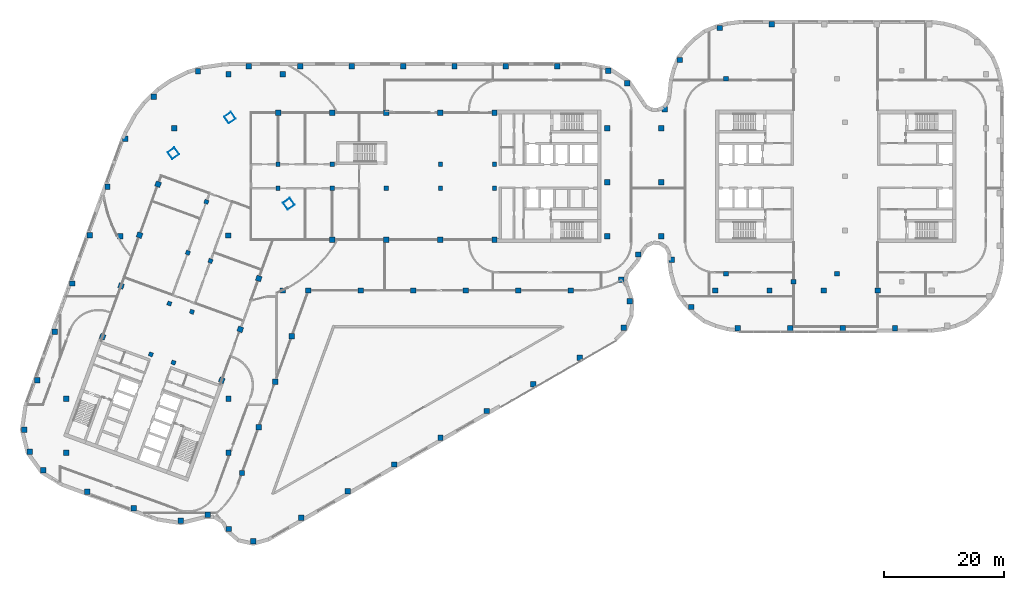
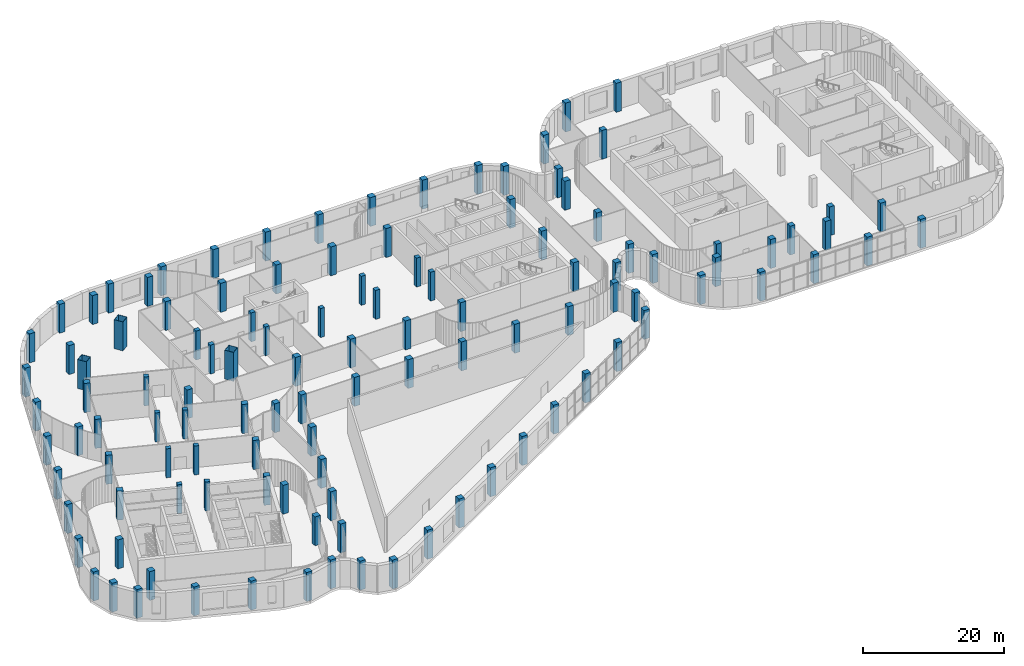
# One storey, part 1 of 24: 116 columns.
"""IFC4 building model written with IfcOpenShell, lengths in metres."""

import ifcopenshell
import ifcopenshell.guid

model = None  # the IFC model being written
_history = None  # IfcOwnerHistory: only IFC2X3 demands one
_inside = {}  # id of a spatial element -> (the spatial element, [elements in it])
_under = {}  # id of a project, library or spatial element -> (it, [spatial elements below it])
_declared = {}  # id of a project -> (the project, [libraries it declares])
_typed = {}  # id of a type object -> (the type object, [elements of that type])
_made_of = {}  # id of a material, layer set ... -> (it, [elements and type objects made of it])


def new_model(schema):
    """Start an empty IFC model of exactly this schema.

    Asked for "IFC4X3", IfcOpenShell would pick the latest addendum, in which some entities
    have other attributes; the version numbers below select the first issue.
    IFC2X3 requires an IfcOwnerHistory on every rooted entity: one is made here for all.
    """
    global model, _history
    if schema == "IFC4X3":
        model = ifcopenshell.file(schema_version=(4, 3, 0, 0))
    else:
        model = ifcopenshell.file(schema=schema)
    _inside.clear()
    _under.clear()
    _declared.clear()
    _typed.clear()
    _made_of.clear()
    _history = None
    if model.schema == "IFC2X3":
        org = make("IfcOrganization", Name="unknown")
        user = make(
            "IfcPersonAndOrganization",
            ThePerson=make("IfcPerson", FamilyName="unknown"),
            TheOrganization=org,
        )
        app = make(
            "IfcApplication",
            ApplicationDeveloper=org,
            Version="unknown",
            ApplicationFullName="unknown",
            ApplicationIdentifier="unknown",
        )
        _history = make(
            "IfcOwnerHistory",
            OwningUser=user,
            OwningApplication=app,
            ChangeAction="ADDED",
            CreationDate=0,
        )
    return model


def make(cls, **values):
    """One entity of the class cls with the attributes given. An attribute that is None is left unset."""
    return model.create_entity(
        cls, **{name: value for name, value in values.items() if value is not None}
    )


def rooted(cls, **values):
    """An entity with a GlobalId (a new one), such as an element, a storey or a relation."""
    return make(cls, GlobalId=ifcopenshell.guid.new(), OwnerHistory=_history, **values)


def si_unit(unit_type, name, prefix=None):
    """IfcSIUnit, for example si_unit("LENGTHUNIT", "METRE", prefix="MILLI")."""
    return make("IfcSIUnit", UnitType=unit_type, Prefix=prefix, Name=name)


def assignment(units):
    """IfcUnitAssignment: the units of a project."""
    return None if units is None else make("IfcUnitAssignment", Units=units)


def point(xyz):
    """IfcCartesianPoint."""
    return None if xyz is None else make("IfcCartesianPoint", Coordinates=xyz)


def direction(xyz):
    """IfcDirection."""
    return None if xyz is None else make("IfcDirection", DirectionRatios=xyz)


def frame(location, z_axis=None, x_axis=None):
    """IfcAxis2Placement3D, a coordinate frame: its origin and axes. An axis left out is left unset."""
    return make(
        "IfcAxis2Placement3D",
        Location=point(location),
        Axis=direction(z_axis),
        RefDirection=direction(x_axis),
    )


def frame_2d(location, x_axis=None):
    """IfcAxis2Placement2D, a coordinate frame in the plane: its origin and x axis."""
    return make(
        "IfcAxis2Placement2D", Location=point(location), RefDirection=direction(x_axis)
    )


def origin():
    """The frame at (0, 0, 0) with its axes left unset."""
    return frame((0.0, 0.0, 0.0))


def origin_2d():
    """The frame at (0, 0) in the plane with its x axis left unset."""
    return frame_2d((0.0, 0.0))


def place(relative_to, where):
    """IfcLocalPlacement: puts the frame where relative to a parent placement (None: the world)."""
    return make(
        "IfcLocalPlacement", PlacementRelTo=relative_to, RelativePlacement=where
    )


def context(
    kind, dimensions, precision=None, world=None, true_north=None, identifier=None
):
    """IfcGeometricRepresentationContext, for example the 3D "Model" context."""
    return make(
        "IfcGeometricRepresentationContext",
        ContextIdentifier=identifier,
        ContextType=kind,
        CoordinateSpaceDimension=dimensions,
        Precision=precision,
        WorldCoordinateSystem=world,
        TrueNorth=true_north,
    )


def subcontext(parent, identifier, kind, view, scale=None):
    """IfcGeometricRepresentationSubContext, for example "Body" below "Model"."""
    return make(
        "IfcGeometricRepresentationSubContext",
        ContextIdentifier=identifier,
        ContextType=kind,
        ParentContext=parent,
        TargetScale=scale,
        TargetView=view,
    )


def project(units=None, contexts=None):
    """IfcProject with its units and contexts."""
    return rooted(
        "IfcProject",
        Name="project",
        RepresentationContexts=contexts,
        UnitsInContext=assignment(units),
    )


def spatial(cls, under=None, at=None, **own):
    """A site, building, storey or space (cls), placed at a placement, below another one or the project."""
    s = rooted(cls, ObjectPlacement=at, **own)
    if under is not None:
        _under.setdefault(under.id(), (under, []))[1].append(s)
    return s


def profile(cls, at=None, kind="AREA", **sizes):
    """A parametric profile (cls). Its sizes go by their IFC names, for example OverallWidth=200.0."""
    return make(cls, ProfileType=kind, Position=at, **sizes)


def rectangle(**sizes):
    """IfcRectangleProfileDef."""
    return profile("IfcRectangleProfileDef", **sizes)


def hollow_rectangle(**sizes):
    """IfcRectangleHollowProfileDef."""
    return profile("IfcRectangleHollowProfileDef", **sizes)


def extrude(swept, where, along, depth):
    """IfcExtrudedAreaSolid: the profile swept, set in the frame where, extruded along a direction by depth."""
    return make(
        "IfcExtrudedAreaSolid",
        SweptArea=swept,
        Position=where,
        ExtrudedDirection=direction(along),
        Depth=depth,
    )


def shape(context_of_items, identifier, shape_type, items):
    """IfcShapeRepresentation: the items that make up one representation, for example the "Body"."""
    return make(
        "IfcShapeRepresentation",
        ContextOfItems=context_of_items,
        RepresentationIdentifier=identifier,
        RepresentationType=shape_type,
        Items=items,
    )


def material(Name=None, Category=None):
    """IfcMaterial."""
    return make("IfcMaterial", Name=Name, Category=Category)


def material_profile(
    of_material, cross_section, Name=None, Category=None, Priority=None
):
    """IfcMaterialProfile: a cross section and its material."""
    return make(
        "IfcMaterialProfile",
        Name=Name,
        Material=of_material,
        Profile=cross_section,
        Priority=Priority,
        Category=Category,
    )


def profile_set(profiles, Name=None, composite=None):
    """IfcMaterialProfileSet."""
    return make(
        "IfcMaterialProfileSet",
        Name=Name,
        MaterialProfiles=profiles,
        CompositeProfile=composite,
    )


def made_of(thing, what):
    """Note that an element or type object is made of a material, layer set ...; save() writes the relation."""
    if what is not None:
        _made_of.setdefault(what.id(), (what, []))[1].append(thing)
    return thing


def type_object(cls, material=None, **own):
    """A type object (cls), such as IfcWallType, which elements share."""
    return made_of(rooted(cls, **own), material)


def element(
    cls,
    number,
    at=None,
    inside=None,
    cuts=None,
    type_object=None,
    material=None,
    context=None,
    identifier="Body",
    shape_type=None,
    held_by="IfcProductDefinitionShape",
    body=None,
    shapes=None,
    **own,
):
    """One element of the class cls, such as IfcWall. Its Tag is "e" and its number.

    at: its placement. inside: the storey or other place that contains it. cuts: it is an
    opening in that element (IfcRelVoidsElement). A single representation is given by context,
    identifier, shape_type and body (its items); several are given by shapes. held_by: the class
    of the entity that holds the representations. save() writes the other relations.
    """
    e = rooted(cls, Tag="e%d" % number, ObjectPlacement=at, **own)
    if body is not None:
        shapes = [shape(context, identifier, shape_type, body)]
    if shapes is not None:
        e.Representation = make(held_by, Representations=shapes)
    if inside is not None:
        _inside.setdefault(inside.id(), (inside, []))[1].append(e)
    if cuts is not None:
        rooted(
            "IfcRelVoidsElement", RelatingBuildingElement=cuts, RelatedOpeningElement=e
        )
    if type_object is not None:
        _typed.setdefault(type_object.id(), (type_object, []))[1].append(e)
    return made_of(e, material)


def aggregate(whole, parts):
    """IfcRelAggregates: a whole, such as a stair, and the parts it consists of."""
    return rooted("IfcRelAggregates", RelatingObject=whole, RelatedObjects=parts)


def save(model, path):
    """Write the relations noted so far, then the file.

    IfcRelAggregates (storeys below a building ...), IfcRelContainedInSpatialStructure (elements
    in a storey), IfcRelDefinesByType, IfcRelAssociatesMaterial and IfcRelDeclares: one each for
    every whole, place, type object, material and project.
    """
    for whole, parts in _under.values():
        aggregate(whole, parts)
    for where, things in _inside.values():
        rooted(
            "IfcRelContainedInSpatialStructure",
            RelatedElements=things,
            RelatingStructure=where,
        )
    for kind, things in _typed.values():
        rooted("IfcRelDefinesByType", RelatedObjects=things, RelatingType=kind)
    for what, things in _made_of.values():
        rooted("IfcRelAssociatesMaterial", RelatedObjects=things, RelatingMaterial=what)
    for by, libraries in _declared.values():
        rooted("IfcRelDeclares", RelatingContext=by, RelatedDefinitions=libraries)
    model.write(path)


model = new_model("IFC4")

# Units and contexts
model_context = context("Model", 3, precision=1e-05, world=origin(), true_north=direction((0.0, 1.0)))
body_context = subcontext(model_context, "Body", "Model", "MODEL_VIEW")
ifc_project = project(units=[si_unit("LENGTHUNIT", "METRE"), si_unit("AREAUNIT", "SQUARE_METRE"), si_unit("VOLUMEUNIT", "CUBIC_METRE"), si_unit("PLANEANGLEUNIT", "RADIAN"), si_unit("MASSUNIT", "GRAM", prefix="KILO")], contexts=[model_context])

# Site, building, storey
site_placement = place(None, origin())
site = spatial("IfcSite", under=ifc_project, at=site_placement, CompositionType="ELEMENT")
building_placement = place(site_placement, origin())
building = spatial("IfcBuilding", under=site, at=building_placement, Name="Skarvind Civic Tower", CompositionType="ELEMENT")
storey_placement = place(building_placement, frame((0.0, 0.0, 12.5)))
storey = spatial("IfcBuildingStorey", under=building, at=storey_placement, Name="L02", CompositionType="ELEMENT", Elevation=12.5)

# Columns
ifc_material_1 = material(Name="Concrete C60", Category="concrete")
ifc_material_profile_1 = material_profile(ifc_material_1, rectangle(XDim=0.699951171875, YDim=0.699951171875, at=origin_2d()), Name="RC-700x700")
ifc_profile_set_1 = profile_set([ifc_material_profile_1], Name="Concrete C60")
column_type_1 = type_object("IfcColumnType", Name="Column RC-700x700 C60", PredefinedType="COLUMN", material=ifc_profile_set_1)
for number, where, z_axis, x_axis, name in (
    (1, (54.25, 130.0, 0.0), (0.0, 0.0, 1.0), (1.0, 0.0, 0.0), "Column wing 1 north inner 02 L02"),
    (2, (63.25, 130.0, 0.0), (0.0, 0.0, 1.0), (1.0, 0.0, 0.0), "Column wing 1 north inner 03 L02"),
    (3, (81.25, 130.0, 0.0), (0.0, 0.0, 1.0), (1.0, 0.0, 0.0), "Column wing 1 north inner 05 L02"),
    (4, (90.25, 130.0, 0.0), (0.0, 0.0, 1.0), (1.0, 0.0, 0.0), "Column wing 1 north inner 06 L02"),
    (5, (54.25, 126.0, 0.0), (0.0, 0.0, 1.0), (1.0, 0.0, 0.0), "Column wing 1 south inner 02 L02"),
    (6, (63.25, 126.0, 0.0), (0.0, 0.0, 1.0), (1.0, 0.0, 0.0), "Column wing 1 south inner 03 L02"),
    (7, (72.25, 126.0, 0.0), (0.0, 0.0, 1.0), (1.0, 0.0, 0.0), "Column wing 1 south inner 04 L02"),
    (8, (81.25, 126.0, 0.0), (0.0, 0.0, 1.0), (1.0, 0.0, 0.0), "Column wing 1 south inner 05 L02"),
    (9, (90.25, 126.0, 0.0), (0.0, 0.0, 1.0), (1.0, 0.0, 0.0), "Column wing 1 south inner 06 L02"),
    (10, (43.005615234375, 113.92529296875, 0.0), (0.0, 0.0, 1.0), (-0.342020143326, -0.939692620786, 0.0), "Column wing 2 left inner 02 L02"),
    (11, (39.927490234375, 105.468017578125, 0.0), (0.0, 0.0, 1.0), (-0.342020143326, -0.939692620786, 0.0), "Column wing 2 left inner 03 L02"),
    (12, (36.84912109375, 97.010986328125, 0.0), (0.0, 0.0, 1.0), (-0.342020143326, -0.939692620786, 0.0), "Column wing 2 left inner 04 L02"),
    (13, (42.324951171875, 123.750732421875, 0.0), (0.0, 0.0, 1.0), (-0.342020143326, -0.939692620786, 0.0), "Column wing 2 right inner 01 L02"),
    (14, (39.246826171875, 115.29345703125, 0.0), (0.0, 0.0, 1.0), (-0.342020143326, -0.939692620786, 0.0), "Column wing 2 right inner 02 L02"),
    (15, (36.168701171875, 106.836181640625, 0.0), (0.0, 0.0, 1.0), (-0.342020143326, -0.939692620786, 0.0), "Column wing 2 right inner 03 L02"),
    (16, (33.090576171875, 98.37890625, 0.0), (0.0, 0.0, 1.0), (-0.342020143326, -0.939692620786, 0.0), "Column wing 2 right inner 04 L02"),
):
    element("IfcColumn", number, at=place(storey_placement, frame(where, z_axis=z_axis, x_axis=x_axis)), inside=storey, type_object=column_type_1, Name=name, PredefinedType="COLUMN", context=body_context, shape_type="SweptSolid", body=[
        extrude(rectangle(XDim=0.699951171875, YDim=0.699951171875, at=origin_2d()), origin(), (0.0, 0.0, 1.0), 5.0),
    ])
ifc_material_profile_2 = material_profile(ifc_material_1, rectangle(XDim=0.800048828125, YDim=0.800048828125, at=origin_2d()), Name="RC-800x800")
ifc_profile_set_2 = profile_set([ifc_material_profile_2], Name="Concrete C60")
column_type_2 = type_object("IfcColumnType", Name="Column RC-800x800 C60", PredefinedType="COLUMN", material=ifc_profile_set_2)
for number, where, z_axis, x_axis, name in (
    (17, (128.777099609375, 144.222900390625, 0.0), (0.0, 0.0, 1.0), (1.0, 0.0, 0.0), "Column second tower north-west corner L02"),
    (18, (128.777099609375, 111.777099609375, 0.0), (0.0, 0.0, 1.0), (1.0, 0.0, 0.0), "Column second tower south-west corner L02"),
    (19, (140.0, 110.449951171875, 0.0), (0.0, 0.0, 1.0), (1.0, 0.0, 0.0), "Column second tower south perimeter 02 L02"),
    (20, (147.222900390625, 111.777099609375, 0.0), (0.0, 0.0, 1.0), (1.0, 0.0, 0.0), "Column second tower south perimeter 03 L02"),
):
    element("IfcColumn", number, at=place(storey_placement, frame(where, z_axis=z_axis, x_axis=x_axis)), inside=storey, type_object=column_type_2, Name=name, PredefinedType="COLUMN", context=body_context, shape_type="SweptSolid", body=[
        extrude(rectangle(XDim=0.800048828125, YDim=0.800048828125, at=origin_2d()), origin(), (0.0, 0.0, 1.0), 5.0),
    ])
ifc_material_profile_3 = material_profile(ifc_material_1, rectangle(XDim=0.89990234375, YDim=0.89990234375, at=origin_2d()), Name="RC-900x900")
ifc_profile_set_3 = profile_set([ifc_material_profile_3], Name="Concrete C60")
column_type_3 = type_object("IfcColumnType", Name="Column RC-900x900 C60", PredefinedType="COLUMN", material=ifc_profile_set_3)
for number, where, z_axis, x_axis, name in (
    (21, (127.0, 109.0, 0.0), (0.0, 0.0, 1.0), (1.0, 0.0, 0.0), "Column podium grid 100 L02"),
    (22, (136.0, 109.0, 0.0), (0.0, 0.0, 1.0), (1.0, 0.0, 0.0), "Column podium grid 101 L02"),
    (23, (145.0, 109.0, 0.0), (0.0, 0.0, 1.0), (1.0, 0.0, 0.0), "Column podium grid 102 L02"),
    (24, (154.0, 109.0, 0.0), (0.0, 0.0, 1.0), (1.0, 0.0, 0.0), "Column podium grid 103 L02"),
    (25, (19.0, 82.0, 0.0), (0.0, 0.0, 1.0), (1.0, 0.0, 0.0), "Column podium grid 68 L02"),
    (26, (19.0, 91.0, 0.0), (0.0, 0.0, 1.0), (1.0, 0.0, 0.0), "Column podium grid 69 L02"),
    (27, (28.0, 118.0, 0.0), (0.0, 0.0, 1.0), (1.0, 0.0, 0.0), "Column podium grid 70 L02"),
    (28, (37.0, 136.0, 0.0), (0.0, 0.0, 1.0), (1.0, 0.0, 0.0), "Column podium grid 71 L02"),
    (29, (46.0, 82.0, 0.0), (0.0, 0.0, 1.0), (1.0, 0.0, 0.0), "Column podium grid 73 L02"),
    (30, (46.0, 91.0, 0.0), (0.0, 0.0, 1.0), (1.0, 0.0, 0.0), "Column podium grid 74 L02"),
    (31, (46.0, 145.0, 0.0), (0.0, 0.0, 1.0), (1.0, 0.0, 0.0), "Column podium grid 75 L02"),
    (32, (55.0, 109.0, 0.0), (0.0, 0.0, 1.0), (1.0, 0.0, 0.0), "Column podium grid 79 L02"),
    (33, (55.0, 145.0, 0.0), (0.0, 0.0, 1.0), (1.0, 0.0, 0.0), "Column podium grid 80 L02"),
    (34, (109.0, 118.0, 0.0), (0.0, 0.0, 1.0), (1.0, 0.0, 0.0), "Column podium grid 94 L02"),
    (35, (109.0, 127.0, 0.0), (0.0, 0.0, 1.0), (1.0, 0.0, 0.0), "Column podium grid 95 L02"),
    (36, (109.0, 136.0, 0.0), (0.0, 0.0, 1.0), (1.0, 0.0, 0.0), "Column podium grid 96 L02"),
    (37, (118.0, 118.0, 0.0), (0.0, 0.0, 1.0), (1.0, 0.0, 0.0), "Column podium grid 97 L02"),
    (38, (118.0, 127.0, 0.0), (0.0, 0.0, 1.0), (1.0, 0.0, 0.0), "Column podium grid 98 L02"),
    (39, (118.0, 136.0, 0.0), (0.0, 0.0, 1.0), (1.0, 0.0, 0.0), "Column podium grid 99 L02"),
    (40, (50.135498046875, 67.277099609375, 0.0), (0.0, 0.0, 1.0), (1.0, 0.0, 0.0), "Column podium edge 01 L02"),
    (41, (46.0517578125, 69.341796875, 0.0), (0.0, 0.0, 1.0), (1.0, 0.0, 0.0), "Column podium edge 02 L02"),
    (42, (42.575927734375, 71.690673828125, 0.0), (0.0, 0.0, 1.0), (1.0, 0.0, 0.0), "Column podium edge 03 L02"),
    (43, (38.081787109375, 70.70361328125, 0.0), (0.0, 0.0, 1.0), (1.0, 0.0, 0.0), "Column podium edge 04 L02"),
    (44, (30.215087890625, 72.767822265625, 0.0), (0.0, 0.0, 1.0), (1.0, 0.0, 0.0), "Column podium edge 05 L02"),
    (45, (22.53515625, 75.56298828125, 0.0), (0.0, 0.0, 1.0), (1.0, 0.0, 0.0), "Column podium edge 06 L02"),
    (46, (15.204833984375, 79.07763671875, 0.0), (0.0, 0.0, 1.0), (1.0, 0.0, 0.0), "Column podium edge 07 L02"),
    (47, (12.957763671875, 82.1640625, 0.0), (0.0, 0.0, 1.0), (1.0, 0.0, 0.0), "Column podium edge 08 L02"),
    (48, (12.037841796875, 85.869384765625, 0.0), (0.0, 0.0, 1.0), (1.0, 0.0, 0.0), "Column podium edge 09 L02"),
    (49, (14.1865234375, 94.0986328125, 0.0), (0.0, 0.0, 1.0), (1.0, 0.0, 0.0), "Column podium edge 10 L02"),
    (50, (17.11083984375, 102.133056640625, 0.0), (0.0, 0.0, 1.0), (1.0, 0.0, 0.0), "Column podium edge 11 L02"),
    (51, (20.03515625, 110.167724609375, 0.0), (0.0, 0.0, 1.0), (1.0, 0.0, 0.0), "Column podium edge 12 L02"),
    (52, (22.95947265625, 118.2021484375, 0.0), (0.0, 0.0, 1.0), (1.0, 0.0, 0.0), "Column podium edge 13 L02"),
    (53, (25.8837890625, 126.236572265625, 0.0), (0.0, 0.0, 1.0), (1.0, 0.0, 0.0), "Column podium edge 14 L02"),
    (54, (28.818603515625, 134.266845703125, 0.0), (0.0, 0.0, 1.0), (1.0, 0.0, 0.0), "Column podium edge 15 L02"),
    (55, (33.59375, 141.267822265625, 0.0), (0.0, 0.0, 1.0), (1.0, 0.0, 0.0), "Column podium edge 16 L02"),
    (56, (40.927001953125, 145.478515625, 0.0), (0.0, 0.0, 1.0), (1.0, 0.0, 0.0), "Column podium edge 17 L02"),
    (57, (49.399658203125, 146.300048828125, 0.0), (0.0, 0.0, 1.0), (1.0, 0.0, 0.0), "Column podium edge 18 L02"),
    (58, (57.949951171875, 146.300048828125, 0.0), (0.0, 0.0, 1.0), (1.0, 0.0, 0.0), "Column podium edge 19 L02"),
    (59, (66.5, 146.300048828125, 0.0), (0.0, 0.0, 1.0), (1.0, 0.0, 0.0), "Column podium edge 20 L02"),
    (60, (75.050048828125, 146.300048828125, 0.0), (0.0, 0.0, 1.0), (1.0, 0.0, 0.0), "Column podium edge 21 L02"),
    (61, (83.600341796875, 146.300048828125, 0.0), (0.0, 0.0, 1.0), (1.0, 0.0, 0.0), "Column podium edge 22 L02"),
    (62, (92.150390625, 146.300048828125, 0.0), (0.0, 0.0, 1.0), (1.0, 0.0, 0.0), "Column podium edge 23 L02"),
    (63, (100.700439453125, 146.300048828125, 0.0), (0.0, 0.0, 1.0), (1.0, 0.0, 0.0), "Column podium edge 24 L02"),
    (64, (109.179931640625, 145.566650390625, 0.0), (0.0, 0.0, 1.0), (1.0, 0.0, 0.0), "Column podium edge 25 L02"),
    (65, (112.329345703125, 143.49560546875, 0.0), (0.0, 0.0, 1.0), (1.0, 0.0, 0.0), "Column podium edge 26 L02"),
    (66, (118.597900390625, 139.153076171875, 0.0), (0.0, 0.0, 1.0), (1.0, 0.0, 0.0), "Column podium edge 27 L02"),
    (67, (121.09521484375, 147.3408203125, 0.0), (0.0, 0.0, 1.0), (1.0, 0.0, 0.0), "Column podium edge 28 L02"),
    (68, (127.706787109375, 152.675048828125, 0.0), (0.0, 0.0, 1.0), (1.0, 0.0, 0.0), "Column podium edge 29 L02"),
    (69, (136.371826171875, 153.300048828125, 0.0), (0.0, 0.0, 1.0), (1.0, 0.0, 0.0), "Column podium edge 30 L02"),
    (70, (156.875, 102.699951171875, 0.0), (0.0, 0.0, 1.0), (1.0, 0.0, 0.0), "Column podium edge 41 L02"),
    (71, (148.1455078125, 102.699951171875, 0.0), (0.0, 0.0, 1.0), (1.0, 0.0, 0.0), "Column podium edge 42 L02"),
    (72, (139.415771484375, 102.699951171875, 0.0), (0.0, 0.0, 1.0), (1.0, 0.0, 0.0), "Column podium edge 43 L02"),
    (73, (130.689453125, 102.749755859375, 0.0), (0.0, 0.0, 1.0), (1.0, 0.0, 0.0), "Column podium edge 44 L02"),
    (74, (122.94677734375, 106.265380859375, 0.0), (0.0, 0.0, 1.0), (1.0, 0.0, 0.0), "Column podium edge 45 L02"),
    (75, (119.70458984375, 114.13671875, 0.0), (0.0, 0.0, 1.0), (1.0, 0.0, 0.0), "Column podium edge 46 L02"),
    (76, (114.146240234375, 114.994384765625, 0.0), (0.0, 0.0, 1.0), (1.0, 0.0, 0.0), "Column podium edge 47 L02"),
    (77, (112.776611328125, 107.21484375, 0.0), (0.0, 0.0, 1.0), (1.0, 0.0, 0.0), "Column podium edge 48 L02"),
    (78, (111.77294921875, 102.8076171875, 0.0), (0.0, 0.0, 1.0), (1.0, 0.0, 0.0), "Column podium edge 49 L02"),
    (79, (104.4453125, 97.850830078125, 0.0), (0.0, 0.0, 1.0), (1.0, 0.0, 0.0), "Column podium edge 50 L02"),
    (80, (96.719970703125, 93.404541015625, 0.0), (0.0, 0.0, 1.0), (1.0, 0.0, 0.0), "Column podium edge 51 L02"),
    (81, (88.994384765625, 88.958251953125, 0.0), (0.0, 0.0, 1.0), (1.0, 0.0, 0.0), "Column podium edge 52 L02"),
    (82, (81.26904296875, 84.511962890625, 0.0), (0.0, 0.0, 1.0), (1.0, 0.0, 0.0), "Column podium edge 53 L02"),
    (83, (73.543701171875, 80.065673828125, 0.0), (0.0, 0.0, 1.0), (1.0, 0.0, 0.0), "Column podium edge 54 L02"),
    (84, (65.818359375, 75.619384765625, 0.0), (0.0, 0.0, 1.0), (1.0, 0.0, 0.0), "Column podium edge 55 L02"),
    (85, (58.093017578125, 71.173095703125, 0.0), (0.0, 0.0, 1.0), (1.0, 0.0, 0.0), "Column podium edge 56 L02"),
    (86, (48.256591796875, 78.647705078125, 0.0), (0.0, 0.0, 1.0), (1.0, 0.0, 0.0), "Column podium edge 57 L02"),
    (87, (51.0185546875, 86.23583984375, 0.0), (0.0, 0.0, 1.0), (1.0, 0.0, 0.0), "Column podium edge 58 L02"),
    (88, (53.7802734375, 93.823974609375, 0.0), (0.0, 0.0, 1.0), (1.0, 0.0, 0.0), "Column podium edge 59 L02"),
    (89, (56.5419921875, 101.411865234375, 0.0), (0.0, 0.0, 1.0), (1.0, 0.0, 0.0), "Column podium edge 60 L02"),
    (90, (59.303955078125, 109.0, 0.0), (0.0, 0.0, 1.0), (1.0, 0.0, 0.0), "Column podium edge 61 L02"),
    (91, (68.033203125, 109.0, 0.0), (0.0, 0.0, 1.0), (1.0, 0.0, 0.0), "Column podium edge 62 L02"),
    (92, (76.762451171875, 109.0, 0.0), (0.0, 0.0, 1.0), (1.0, 0.0, 0.0), "Column podium edge 63 L02"),
    (93, (85.491455078125, 109.0, 0.0), (0.0, 0.0, 1.0), (1.0, 0.0, 0.0), "Column podium edge 64 L02"),
    (94, (94.220703125, 109.0, 0.0), (0.0, 0.0, 1.0), (1.0, 0.0, 0.0), "Column podium edge 65 L02"),
    (95, (102.949951171875, 109.0, 0.0), (0.0, 0.0, 1.0), (1.0, 0.0, 0.0), "Column podium edge 66 L02"),
    (96, (111.3330078125, 110.789794921875, 0.0), (0.0, 0.0, 1.0), (1.0, 0.0, 0.0), "Column podium edge 67 L02"),
):
    element("IfcColumn", number, at=place(storey_placement, frame(where, z_axis=z_axis, x_axis=x_axis)), inside=storey, type_object=column_type_3, Name=name, PredefinedType="COLUMN", context=body_context, shape_type="SweptSolid", body=[
        extrude(rectangle(XDim=0.89990234375, YDim=0.89990234375, at=origin_2d()), origin(), (0.0, 0.0, 1.0), 5.0),
    ])
ifc_material_2 = material(Name="Concrete C80", Category="concrete")
ifc_material_profile_4 = material_profile(ifc_material_2, rectangle(XDim=0.89990234375, YDim=0.89990234375, at=origin_2d()), Name="RC-900x900")
ifc_profile_set_4 = profile_set([ifc_material_profile_4], Name="Concrete C80")
column_type_4 = type_object("IfcColumnType", Name="Column RC-900x900 C80", PredefinedType="COLUMN", material=ifc_profile_set_4)
for number, where, z_axis, x_axis, name in (
    (97, (54.25, 138.550048828125, 0.0), (0.0, 0.0, 1.0), (1.0, 0.0, 0.0), "Column wing 1 north perimeter 02 L02"),
    (98, (63.25, 138.550048828125, 0.0), (0.0, 0.0, 1.0), (1.0, 0.0, 0.0), "Column wing 1 north perimeter 03 L02"),
    (99, (72.25, 138.550048828125, 0.0), (0.0, 0.0, 1.0), (1.0, 0.0, 0.0), "Column wing 1 north perimeter 04 L02"),
    (100, (81.25, 138.550048828125, 0.0), (0.0, 0.0, 1.0), (1.0, 0.0, 0.0), "Column wing 1 north perimeter 05 L02"),
    (101, (90.25, 138.550048828125, 0.0), (0.0, 0.0, 1.0), (1.0, 0.0, 0.0), "Column wing 1 north perimeter 06 L02"),
    (102, (45.95166015625, 118.151611328125, 0.0), (0.0, 0.0, 1.0), (1.0, 0.0, 0.0), "Column wing 1 south perimeter 01 L02"),
    (103, (63.25, 117.449951171875, 0.0), (0.0, 0.0, 1.0), (1.0, 0.0, 0.0), "Column wing 1 south perimeter 03 L02"),
    (104, (72.25, 117.449951171875, 0.0), (0.0, 0.0, 1.0), (1.0, 0.0, 0.0), "Column wing 1 south perimeter 04 L02"),
    (105, (81.25, 117.449951171875, 0.0), (0.0, 0.0, 1.0), (1.0, 0.0, 0.0), "Column wing 1 south perimeter 05 L02"),
    (106, (90.25, 117.449951171875, 0.0), (0.0, 0.0, 1.0), (1.0, 0.0, 0.0), "Column wing 1 south perimeter 06 L02"),
    (107, (51.0400390625, 111.0009765625, 0.0), (0.0, 0.0, 1.0), (-0.342020143326, -0.939692620786, 0.0), "Column wing 2 left perimeter 02 L02"),
    (108, (47.961669921875, 102.5439453125, 0.0), (0.0, 0.0, 1.0), (-0.342020143326, -0.939692620786, 0.0), "Column wing 2 left perimeter 03 L02"),
    (109, (44.883544921875, 94.086669921875, 0.0), (0.0, 0.0, 1.0), (-0.342020143326, -0.939692620786, 0.0), "Column wing 2 left perimeter 04 L02"),
    (110, (34.29052734375, 126.6748046875, 0.0), (0.0, 0.0, 1.0), (-0.342020143326, -0.939692620786, 0.0), "Column wing 2 right perimeter 01 L02"),
    (111, (31.21240234375, 118.2177734375, 0.0), (0.0, 0.0, 1.0), (-0.342020143326, -0.939692620786, 0.0), "Column wing 2 right perimeter 02 L02"),
    (112, (28.13427734375, 109.760498046875, 0.0), (0.0, 0.0, 1.0), (-0.342020143326, -0.939692620786, 0.0), "Column wing 2 right perimeter 03 L02"),
    (113, (25.05615234375, 101.30322265625, 0.0), (0.0, 0.0, 1.0), (-0.342020143326, -0.939692620786, 0.0), "Column wing 2 right perimeter 04 L02"),
):
    element("IfcColumn", number, at=place(storey_placement, frame(where, z_axis=z_axis, x_axis=x_axis)), inside=storey, type_object=column_type_4, Name=name, PredefinedType="COLUMN", context=body_context, shape_type="SweptSolid", body=[
        extrude(rectangle(XDim=0.89990234375, YDim=0.89990234375, at=origin_2d()), origin(), (0.0, 0.0, 1.0), 5.0),
    ])
ifc_material_3 = material(Name="Composite concrete-filled steel tube, Steel SM355 with Concrete C80", Category="concrete")
ifc_material_profile_5 = material_profile(ifc_material_3, hollow_rectangle(XDim=1.39990234375, YDim=1.39990234375, WallThickness=0.0400390625, at=origin_2d()), Name="BOX-1400x1400x40")
ifc_profile_set_5 = profile_set([ifc_material_profile_5], Name="Composite concrete-filled steel tube, Steel SM355 with Concrete C80")
column_type_5 = type_object("IfcColumnType", Name="Mega column BOX-1400x1400x40 filled C80", PredefinedType="COLUMN", material=ifc_profile_set_5)
for number, where, z_axis, x_axis, name in (
    (114, (36.845947265625, 131.837646484375, 0.0), (0.0, 0.0, 1.0), (0.573576436351, -0.819152044289, 0.0), "Mega column 1 L02"),
    (115, (46.2470703125, 137.762451171875, 0.0), (0.0, 0.0, 1.0), (0.573576436351, -0.819152044289, 0.0), "Mega column 2 L02"),
    (116, (56.0361328125, 123.43017578125, 0.0), (0.0, 0.0, 1.0), (0.573576436351, -0.819152044289, 0.0), "Mega column 4 L02"),
):
    element("IfcColumn", number, at=place(storey_placement, frame(where, z_axis=z_axis, x_axis=x_axis)), inside=storey, type_object=column_type_5, Name=name, PredefinedType="COLUMN", context=body_context, shape_type="SweptSolid", body=[
        extrude(hollow_rectangle(XDim=1.39990234375, YDim=1.39990234375, WallThickness=0.0400390625, at=origin_2d()), origin(), (0.0, 0.0, 1.0), 5.0),
    ])

save(model, "model.ifc")
